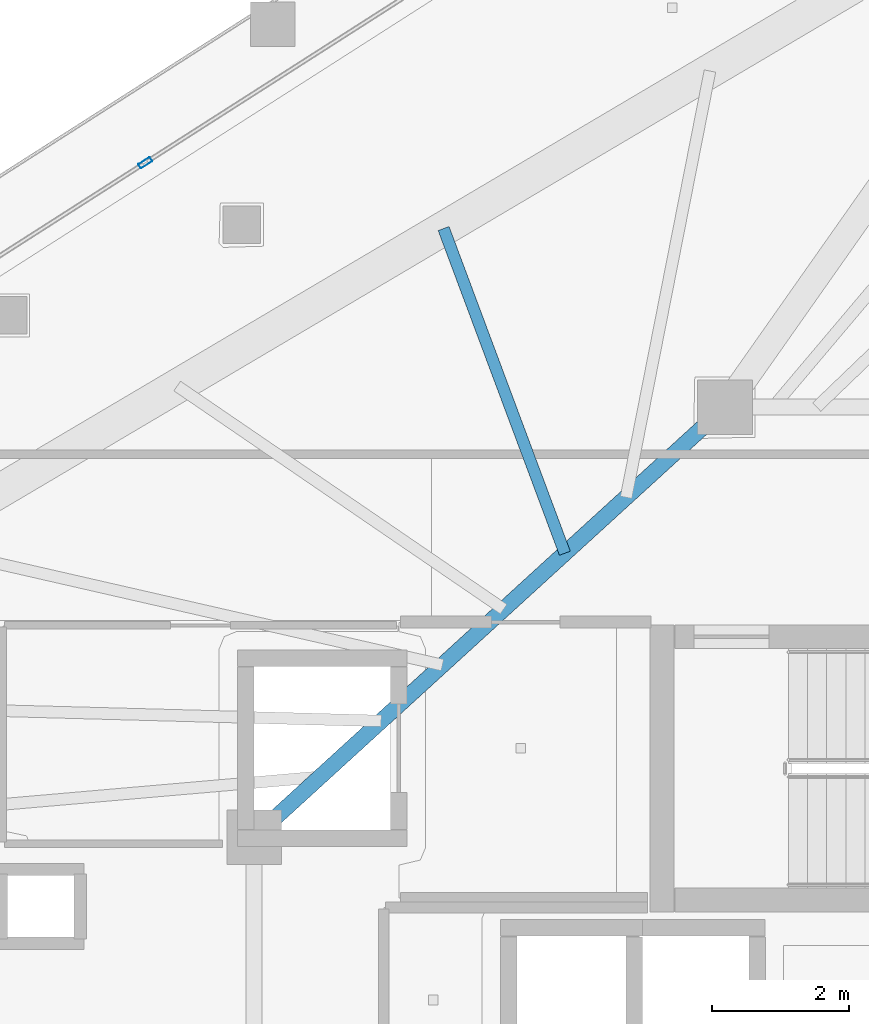
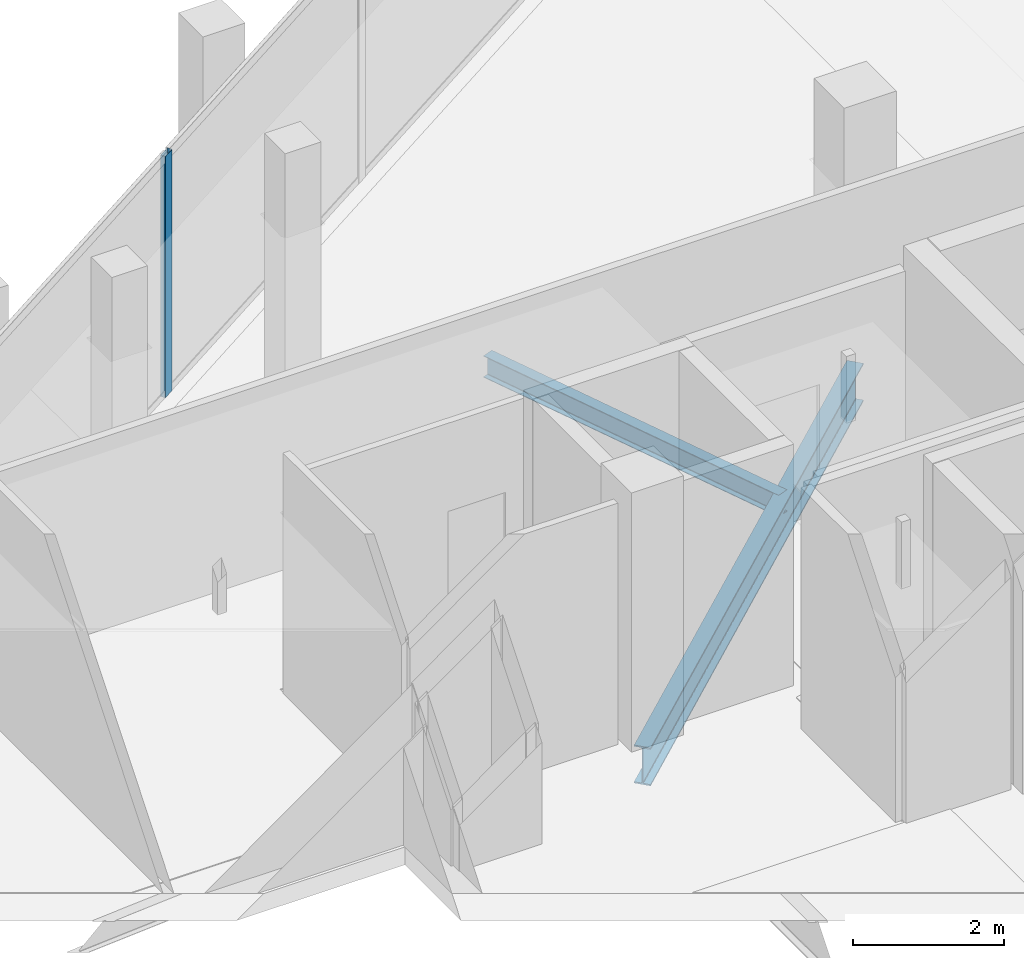
# One storey, part 17 of 34: 2 beams, 1 member, 1 element without a shape of its own.
"""IFC4 building model written with IfcOpenShell, lengths in metres."""

from ifc_helpers import new_model, si_unit, direction, frame, origin, origin_2d, place, context, subcontext, project, spatial, hollow_rectangle, i_section, extrude, material, layer, layer_set, material_profile, profile_set, type_object, element, aggregate, save


model = new_model("IFC4")

# Units and contexts
model_context = context("Model", 3, precision=1e-05, world=origin(), true_north=direction((0.0, 1.0)))
body_context = subcontext(model_context, "Body", "Model", "MODEL_VIEW")
ifc_project = project(units=[si_unit("LENGTHUNIT", "METRE"), si_unit("AREAUNIT", "SQUARE_METRE"), si_unit("VOLUMEUNIT", "CUBIC_METRE"), si_unit("PLANEANGLEUNIT", "RADIAN"), si_unit("MASSUNIT", "GRAM", prefix="KILO")], contexts=[model_context])

# Site, building, storey
site_placement = place(None, origin())
site = spatial("IfcSite", under=ifc_project, at=site_placement, CompositionType="ELEMENT")
building_placement = place(site_placement, origin())
building = spatial("IfcBuilding", under=site, at=building_placement, Name="Qorvath Tower", CompositionType="ELEMENT")
storey_placement = place(building_placement, frame((0.0, 0.0, 268.199951171875)))
storey = spatial("IfcBuildingStorey", under=building, at=storey_placement, Name="L62", CompositionType="ELEMENT", Elevation=268.199951171875)

# Beams
ifc_material_1 = material(Name="Steel ASTM A992 Grade 50", Category="steel")
ifc_material_profile_1 = material_profile(ifc_material_1, i_section(OverallWidth=0.22998046875, OverallDepth=0.616943359375, WebThickness=0.01318359375, FlangeThickness=0.022216796875, FilletRadius=0.014892578125, at=origin_2d()), Name="W24x94")
ifc_profile_set_1 = profile_set([ifc_material_profile_1], Name="Steel ASTM A992 Grade 50")
beam_type_1 = type_object("IfcBeamType", Name="BM-FG6", PredefinedType="BEAM", material=ifc_profile_set_1)
beam_1_placement = place(storey_placement, frame((-30.5, 5.14990234375, -0.5986328125), z_axis=(0.73847813985, 0.6742774184, 0.0), x_axis=(-0.6742774184, 0.73847813985, 0.0)))
element("IfcBeam", 1, at=beam_1_placement, inside=storey, type_object=beam_type_1, Name="Core Ring Girder CC5-CC1 L62", PredefinedType="BEAM", context=body_context, shape_type="SweptSolid", body=[
    extrude(i_section(OverallWidth=0.22998046875, OverallDepth=0.616943359375, WebThickness=0.01318359375, FlangeThickness=0.022216796875, FilletRadius=0.014892578125, at=origin_2d()), origin(), (0.0, 0.0, 1.0), 9.343505859375),
])
ifc_material_2 = material(Name="Steel ASTM A992 Grade 50", Category="steel")
ifc_material_profile_2 = material_profile(ifc_material_2, i_section(OverallWidth=0.1708984375, OverallDepth=0.35107421875, WebThickness=0.0068359375, FlangeThickness=0.009765625, FilletRadius=0.010009765625, at=origin_2d()), Name="W14x30")
ifc_profile_set_2 = profile_set([ifc_material_profile_2], Name="Steel ASTM A992 Grade 50")
beam_type_2 = type_object("IfcBeamType", Name="BM-FJ4", PredefinedType="JOIST", material=ifc_profile_set_2)
beam_2_placement = place(storey_placement, frame((-25.946044921875, 9.30810546875, -0.465576171875), z_axis=(-0.349858795354, 0.936802446257, 0.0), x_axis=(-0.936802446257, -0.349858795354, 0.0)))
element("IfcBeam", 2, at=beam_2_placement, inside=storey, type_object=beam_type_2, Name="Composite Floor Joist NW5 L62", PredefinedType="JOIST", context=body_context, shape_type="SweptSolid", body=[
    extrude(i_section(OverallWidth=0.1708984375, OverallDepth=0.35107421875, WebThickness=0.0068359375, FlangeThickness=0.009765625, FilletRadius=0.010009765625, at=origin_2d()), origin(), (0.0, 0.0, 1.0), 5.078857421875),
])

# Curtain wall, member
ifc_material_3 = material(Name="Anodised aluminium and triple low-E glass", Category="aluminium")
ifc_layer = layer(ifc_material_3, 0.179931640625)
ifc_layer_set = layer_set([ifc_layer], Name="CW-SYS-4")
curtain_wall_type = type_object("IfcCurtainWallType", Name="CW-SYS-4", PredefinedType="NOTDEFINED", material=ifc_layer_set)
curtain_wall_placement = place(storey_placement, origin())
curtain_wall = element("IfcCurtainWall", 3, at=curtain_wall_placement, inside=storey, type_object=curtain_wall_type, Name="Curtain Wall CW-4 CW-T-L62-16.1", PredefinedType="NOTDEFINED")
ifc_material_4 = material(Name="Anodised aluminium 6063-T6", Category="aluminium")
ifc_material_profile_3 = material_profile(ifc_material_4, hollow_rectangle(XDim=0.074951171875, YDim=0.199951171875, WallThickness=0.00390625, InnerFilletRadius=0.00390625, OuterFilletRadius=0.008056640625, at=origin_2d()), Name="CWM 200x75")
ifc_profile_set_3 = profile_set([ifc_material_profile_3], Name="Anodised aluminium 6063-T6")
member_type = type_object("IfcMemberType", Name="CWM-200", PredefinedType="MULLION", material=ifc_profile_set_3)
member_placement = place(storey_placement, frame((-32.093505859375, 15.029541015625, 0.0), z_axis=(0.0, 0.0, 1.0), x_axis=(0.538533509281, -0.842604094093, 0.0)))
member = element("IfcMember", 4, at=member_placement, type_object=member_type, Name="CW-4 mullion 4", PredefinedType="MULLION", context=body_context, shape_type="SweptSolid", body=[
    extrude(hollow_rectangle(XDim=0.074951171875, YDim=0.199951171875, WallThickness=0.00390625, InnerFilletRadius=0.00390625, OuterFilletRadius=0.008056640625, at=origin_2d()), origin(), (0.0, 0.0, 1.0), 3.91015625),
])
aggregate(curtain_wall, [member])

save(model, "model.ifc")
